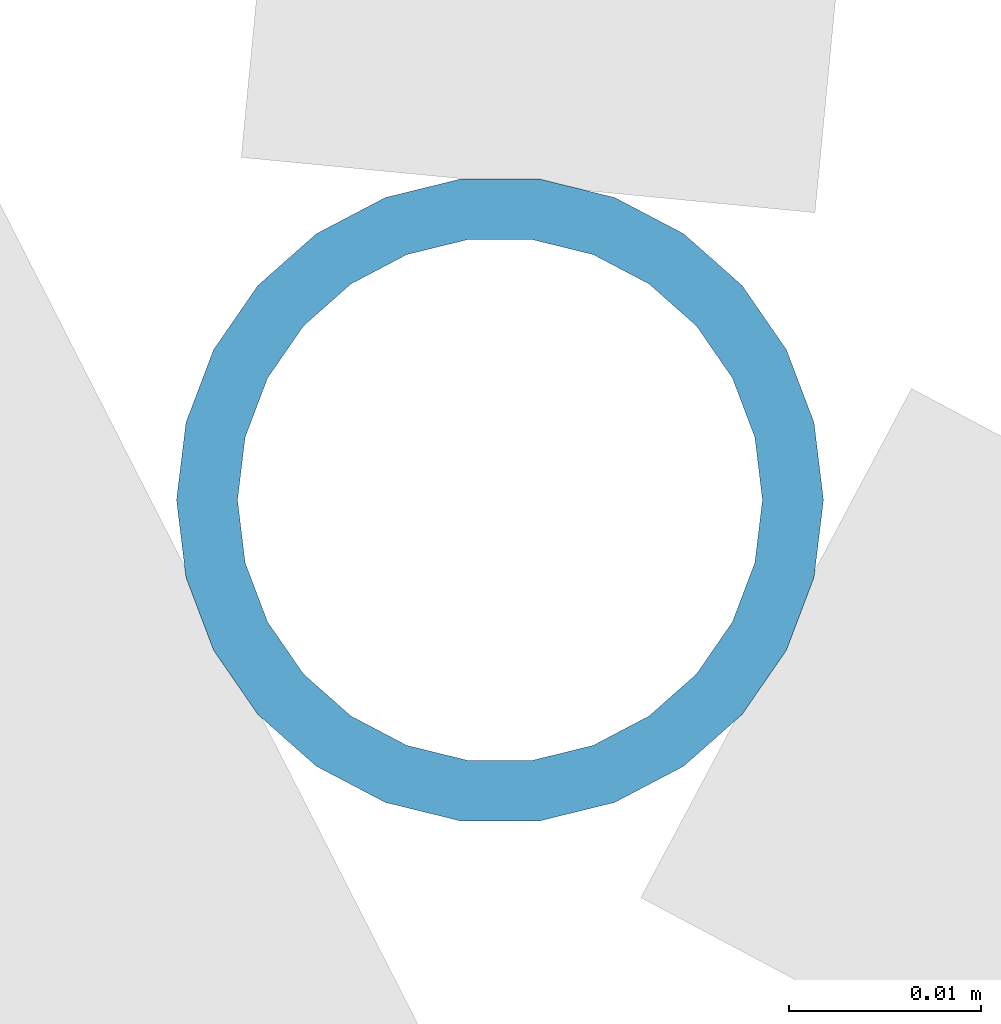
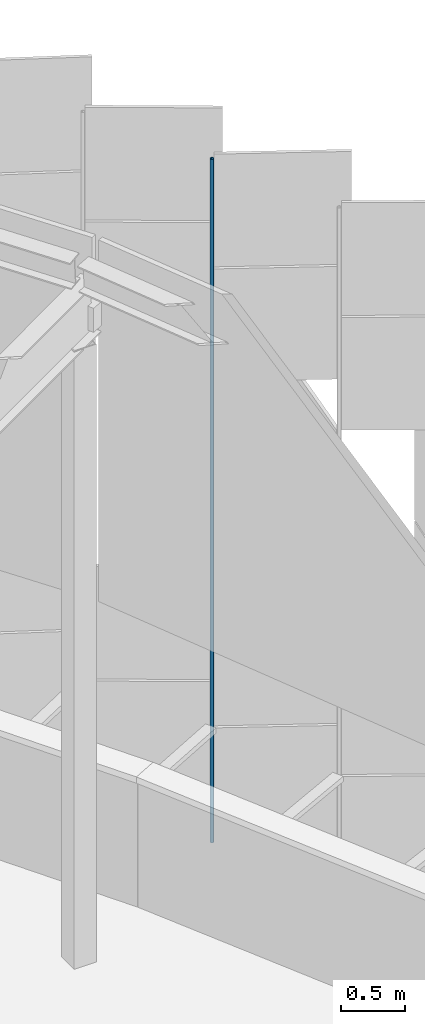
# One storey, part 309 of 483: 1 discrete accessory.
"""IFC4 building model written with IfcOpenShell, lengths in metres."""

from ifc_helpers import new_model, si_unit, direction, frame, origin, origin_2d, place, context, subcontext, project, spatial, hollow_circle, extrude, material, material_profile, profile_set, type_object, element, save


model = new_model("IFC4")

# Units and contexts
model_context = context("Model", 3, precision=1e-05, world=origin(), true_north=direction((0.0, 1.0)))
body_context = subcontext(model_context, "Body", "Model", "MODEL_VIEW")
ifc_project = project(units=[si_unit("LENGTHUNIT", "METRE"), si_unit("AREAUNIT", "SQUARE_METRE"), si_unit("VOLUMEUNIT", "CUBIC_METRE"), si_unit("PLANEANGLEUNIT", "RADIAN"), si_unit("MASSUNIT", "GRAM", prefix="KILO")], contexts=[model_context])

# Site, building, storey
site_placement = place(None, origin())
site = spatial("IfcSite", under=ifc_project, at=site_placement, CompositionType="ELEMENT")
building_placement = place(site_placement, origin())
building = spatial("IfcBuilding", under=site, at=building_placement, Name="Parallax Yard Mobility Hub", CompositionType="ELEMENT")
storey_placement = place(building_placement, frame((0.0, 0.0, 13.199951171875)))
storey = spatial("IfcBuildingStorey", under=building, at=storey_placement, Name="L04", CompositionType="ELEMENT", Elevation=13.199951171875)

# Discrete accessory
ifc_material = material(Name="Steel ASTM A500 Gr C, hot-dip galvanised", Category="steel")
ifc_material_profile = material_profile(ifc_material, hollow_circle(Radius=0.016845703125, WallThickness=0.003173828125, at=origin_2d()), Name="CHS 33.7x3.2")
ifc_profile_set = profile_set([ifc_material_profile], Name="Steel ASTM A500 Gr C, hot-dip galvanised")
discrete_accessory_type = type_object("IfcDiscreteAccessoryType", Name="Hinge post CHS 33.7x3.2", PredefinedType="BRACKET", material=ifc_profile_set)
discrete_accessory_placement = place(storey_placement, frame((220.007080078125, 114.2060546875, 0.0), z_axis=(0.0, 0.0, 1.0), x_axis=(1.0, 0.0, 0.0)))
element("IfcDiscreteAccessory", 1, at=discrete_accessory_placement, inside=storey, type_object=discrete_accessory_type, Name="Hinge post bay 44.1 level L04", PredefinedType="BRACKET", context=body_context, shape_type="SweptSolid", body=[
    extrude(hollow_circle(Radius=0.016845703125, WallThickness=0.003173828125, at=origin_2d()), origin(), (0.0, 0.0, 1.0), 6.550048828125),
])

save(model, "model.ifc")
